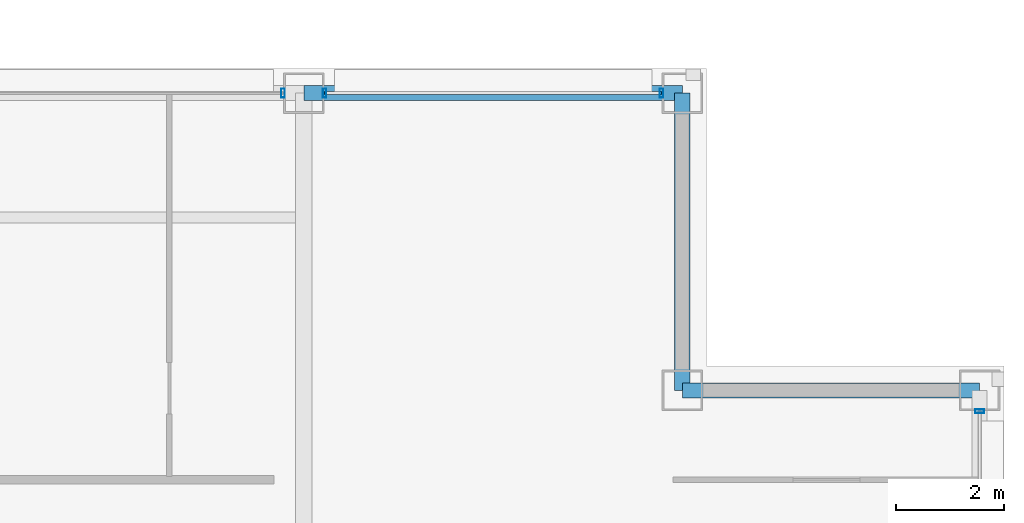
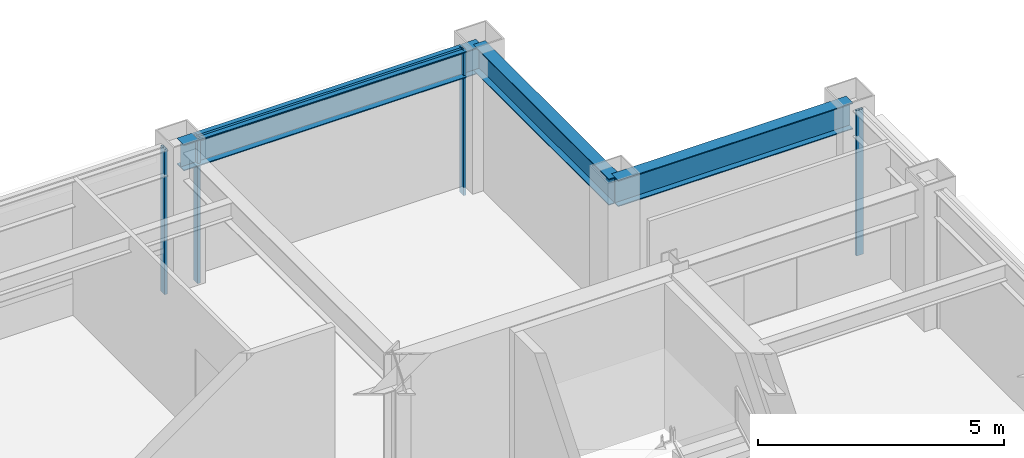
# One storey, part 21 of 28: 5 members, 3 beams, 3 elements without a shape of their own.
"""IFC4 building model written with IfcOpenShell, lengths in metres."""

from ifc_helpers import new_model, si_unit, direction, frame, origin, origin_2d, place, context, subcontext, project, spatial, hollow_rectangle, i_section, extrude, material, layer, layer_set, material_profile, profile_set, type_object, element, aggregate, save


model = new_model("IFC4")

# Units and contexts
model_context = context("Model", 3, precision=1e-05, world=origin(), true_north=direction((0.0, 1.0)))
body_context = subcontext(model_context, "Body", "Model", "MODEL_VIEW")
ifc_project = project(units=[si_unit("LENGTHUNIT", "METRE"), si_unit("AREAUNIT", "SQUARE_METRE"), si_unit("VOLUMEUNIT", "CUBIC_METRE"), si_unit("PLANEANGLEUNIT", "RADIAN"), si_unit("MASSUNIT", "GRAM", prefix="KILO")], contexts=[model_context])

# Site, building, storey
site_placement = place(None, origin())
site = spatial("IfcSite", under=ifc_project, at=site_placement, CompositionType="ELEMENT")
building_placement = place(site_placement, origin())
building = spatial("IfcBuilding", under=site, at=building_placement, Name="Brelmoor Portico Tower", CompositionType="ELEMENT")
storey_placement = place(building_placement, frame((0.0, 0.0, 165.89990234375)))
storey = spatial("IfcBuildingStorey", under=building, at=storey_placement, Name="L43", CompositionType="ELEMENT", Elevation=165.89990234375)

# Beams
ifc_material_1 = material(Name="Steel Q355B", Category="steel")
ifc_material_profile_1 = material_profile(ifc_material_1, i_section(OverallWidth=0.280029296875, OverallDepth=0.64990234375, WebThickness=0.012939453125, FlangeThickness=0.02197265625, at=origin_2d()), Name="HN 650x280x13x22")
ifc_profile_set_1 = profile_set([ifc_material_profile_1], Name="Steel Q355B")
beam_type = type_object("IfcBeamType", Name="BM-SP-650", PredefinedType="SPANDREL", material=ifc_profile_set_1)
beam_1_placement = place(storey_placement, frame((15.050048828125, 13.050048828125, 3.0751953125), z_axis=(1.0, 0.0, 0.0), x_axis=(0.0, 1.0, 0.0)))
element("IfcBeam", 1, at=beam_1_placement, inside=storey, type_object=beam_type, Name="L43 Perimeter Spandrel Beam SP-07", PredefinedType="SPANDREL", context=body_context, shape_type="SweptSolid", body=[
    extrude(i_section(OverallWidth=0.280029296875, OverallDepth=0.64990234375, WebThickness=0.012939453125, FlangeThickness=0.02197265625, at=origin_2d()), origin(), (0.0, 0.0, 1.0), 5.5),
])
beam_2_placement = place(storey_placement, frame((8.050048828125, 18.550048828125, 3.0751953125), z_axis=(1.0, 0.0, 0.0), x_axis=(0.0, 1.0, 0.0)))
element("IfcBeam", 2, at=beam_2_placement, inside=storey, type_object=beam_type, Name="L43 Perimeter Spandrel Beam SP-10", PredefinedType="SPANDREL", context=body_context, shape_type="SweptSolid", body=[
    extrude(i_section(OverallWidth=0.280029296875, OverallDepth=0.64990234375, WebThickness=0.012939453125, FlangeThickness=0.02197265625, at=origin_2d()), origin(), (0.0, 0.0, 1.0), 7.0),
])
beam_3_placement = place(storey_placement, frame((15.050048828125, 13.050048828125, 3.0751953125), z_axis=(0.0, 1.0, 0.0), x_axis=(-1.0, 0.0, 0.0)))
element("IfcBeam", 3, at=beam_3_placement, inside=storey, type_object=beam_type, Name="L43 Perimeter Spandrel Beam SP-17", PredefinedType="SPANDREL", context=body_context, shape_type="SweptSolid", body=[
    extrude(i_section(OverallWidth=0.280029296875, OverallDepth=0.64990234375, WebThickness=0.012939453125, FlangeThickness=0.02197265625, at=origin_2d()), origin(), (0.0, 0.0, 1.0), 5.5),
])

# Curtain wall, member
ifc_material_2 = material(Name="Anodised Aluminium Alloy 6063-T6", Category="aluminium")
ifc_layer_1 = layer(ifc_material_2, 0.179931640625)
ifc_layer_set_1 = layer_set([ifc_layer_1], Name="Anodised Aluminium Alloy 6063-T6")
curtain_wall_type_1 = type_object("IfcCurtainWallType", Name="CW-TOWER-Z3", PredefinedType="NOTDEFINED", material=ifc_layer_set_1)
curtain_wall_1_placement = place(storey_placement, origin())
curtain_wall_1 = element("IfcCurtainWall", 4, at=curtain_wall_1_placement, inside=storey, type_object=curtain_wall_type_1, Name="L43 Curtain Wall CW-L43-2R-1", PredefinedType="NOTDEFINED")
ifc_material_profile_2 = material_profile(ifc_material_2, hollow_rectangle(XDim=0.06494140625, YDim=0.1650390625, WallThickness=0.00390625, at=origin_2d()), Name="ALU MULLION 65x165")
ifc_profile_set_2 = profile_set([ifc_material_profile_2], Name="Anodised Aluminium Alloy 6063-T6")
member_type_1 = type_object("IfcMemberType", Name="MB-CW-MULL-165", PredefinedType="MULLION", material=ifc_profile_set_2)
member_1_placement = place(storey_placement, frame((7.6650390625, 18.550048828125, -0.199951171875), z_axis=(0.0, 0.0, 1.0), x_axis=(1.0, 0.0, 0.0)))
member_1 = element("IfcMember", 5, at=member_1_placement, type_object=member_type_1, Name="CW-L43-2R-1 Mullion 01", PredefinedType="MULLION", context=body_context, shape_type="SweptSolid", body=[
    extrude(hollow_rectangle(XDim=0.06494140625, YDim=0.1650390625, WallThickness=0.00390625, at=origin_2d()), origin(), (0.0, 0.0, 1.0), 3.60009765625),
])
aggregate(curtain_wall_1, [member_1])

# Curtain wall, members
ifc_layer_2 = layer(ifc_material_2, 0.179931640625)
ifc_layer_set_2 = layer_set([ifc_layer_2], Name="Anodised Aluminium Alloy 6063-T6")
curtain_wall_type_2 = type_object("IfcCurtainWallType", Name="CW-TOWER-Z3-XB", PredefinedType="NOTDEFINED", material=ifc_layer_set_2)
curtain_wall_2_placement = place(storey_placement, origin())
curtain_wall_2 = element("IfcCurtainWall", 6, at=curtain_wall_2_placement, inside=storey, type_object=curtain_wall_type_2, Name="L43 Curtain Wall CW-L43-2R-2", PredefinedType="NOTDEFINED")
member_2_placement = place(storey_placement, frame((8.43505859375, 18.550048828125, -0.199951171875), z_axis=(0.0, 0.0, 1.0), x_axis=(1.0, 0.0, 0.0)))
member_2 = element("IfcMember", 7, at=member_2_placement, type_object=member_type_1, Name="CW-L43-2R-2 Mullion 00", PredefinedType="MULLION", context=body_context, shape_type="SweptSolid", body=[
    extrude(hollow_rectangle(XDim=0.06494140625, YDim=0.1650390625, WallThickness=0.00390625, at=origin_2d()), origin(), (0.0, 0.0, 1.0), 3.60009765625),
])
member_3_placement = place(storey_placement, frame((14.6650390625, 18.550048828125, -0.199951171875), z_axis=(0.0, 0.0, 1.0), x_axis=(1.0, 0.0, 0.0)))
member_3 = element("IfcMember", 8, at=member_3_placement, type_object=member_type_1, Name="CW-L43-2R-2 Mullion 01", PredefinedType="MULLION", context=body_context, shape_type="SweptSolid", body=[
    extrude(hollow_rectangle(XDim=0.06494140625, YDim=0.1650390625, WallThickness=0.00390625, at=origin_2d()), origin(), (0.0, 0.0, 1.0), 3.60009765625),
])

# Curtain wall, member
curtain_wall_3_placement = place(storey_placement, origin())
curtain_wall_3 = element("IfcCurtainWall", 9, at=curtain_wall_3_placement, inside=storey, type_object=curtain_wall_type_2, Name="L43 Curtain Wall CW-L43-04-3", PredefinedType="NOTDEFINED")
member_4_placement = place(storey_placement, frame((20.550048828125, 12.6650390625, -0.199951171875), z_axis=(0.0, 0.0, 1.0), x_axis=(0.0, 1.0, 0.0)))
member_4 = element("IfcMember", 10, at=member_4_placement, type_object=member_type_1, Name="CW-L43-04-3 Mullion 01", PredefinedType="MULLION", context=body_context, shape_type="SweptSolid", body=[
    extrude(hollow_rectangle(XDim=0.06494140625, YDim=0.1650390625, WallThickness=0.00390625, at=origin_2d()), origin(), (0.0, 0.0, 1.0), 3.60009765625),
])
aggregate(curtain_wall_3, [member_4])

# Member
ifc_material_profile_3 = material_profile(ifc_material_2, hollow_rectangle(XDim=0.06005859375, YDim=0.125, WallThickness=0.00341796875, at=origin_2d()), Name="ALU TRANSOM 60x125")
ifc_profile_set_3 = profile_set([ifc_material_profile_3], Name="Anodised Aluminium Alloy 6063-T6")
member_type_2 = type_object("IfcMemberType", Name="MB-CW-TRAN-125", PredefinedType="USERDEFINED", material=ifc_profile_set_3)
member_5_placement = place(storey_placement, frame((8.43505859375, 18.550048828125, 3.337646484375), z_axis=(1.0, 0.0, 0.0), x_axis=(0.0, 1.0, 0.0)))
member_5 = element("IfcMember", 11, at=member_5_placement, type_object=member_type_2, Name="CW-L43-2R-2 Transom 1-00", ObjectType="TRANSOM", PredefinedType="USERDEFINED", context=body_context, shape_type="SweptSolid", body=[
    extrude(hollow_rectangle(XDim=0.06005859375, YDim=0.125, WallThickness=0.00341796875, at=origin_2d()), origin(), (0.0, 0.0, 1.0), 6.22998046875),
])

aggregate(curtain_wall_2, [member_2, member_3, member_5])

save(model, "model.ifc")
